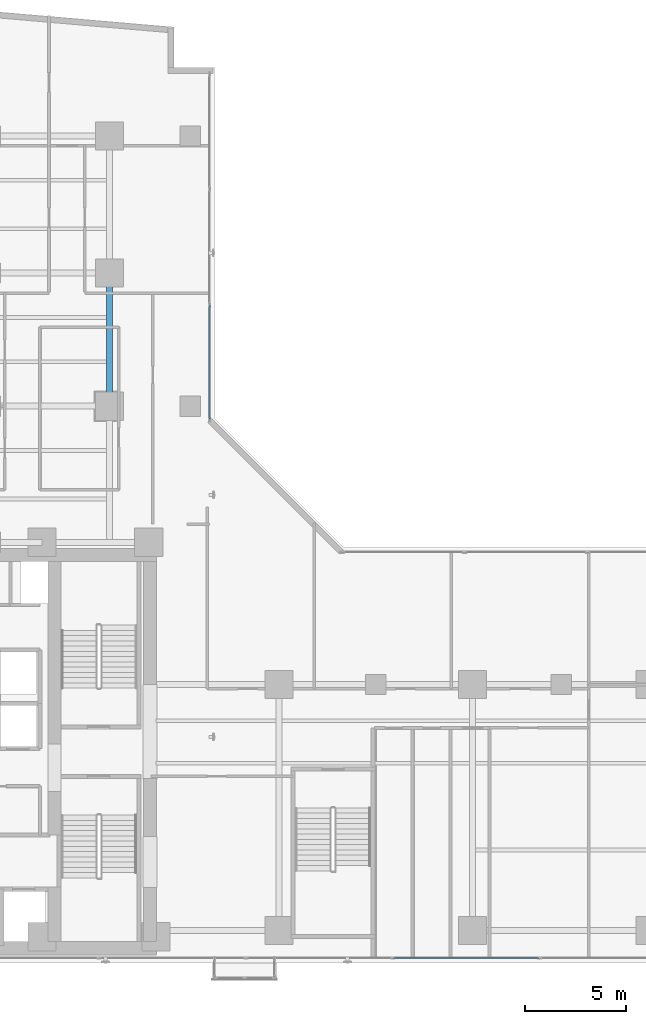
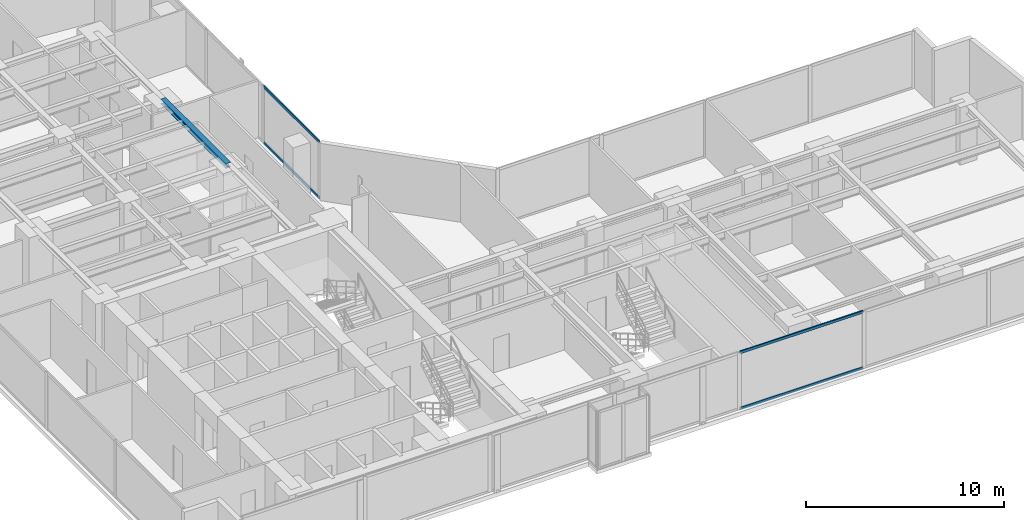
# One storey, part 10 of 26: 4 members, 1 beam, 2 elements without a shape of their own.
"""IFC4 building model written with IfcOpenShell, lengths in metres."""

from ifc_helpers import new_model, si_unit, direction, frame, origin, origin_with_axes, origin_2d, place, context, subcontext, project, spatial, hollow_rectangle, i_section, extrude, source, transform, mapped, material, layer, layer_set, material_profile, profile_set, type_object, element, aggregate, save


model = new_model("IFC4")

# Units and contexts
model_context = context("Model", 3, precision=1e-05, world=origin(), true_north=direction((0.0, 1.0)))
body_context = subcontext(model_context, "Body", "Model", "MODEL_VIEW")
ifc_project = project(units=[si_unit("LENGTHUNIT", "METRE"), si_unit("AREAUNIT", "SQUARE_METRE"), si_unit("VOLUMEUNIT", "CUBIC_METRE"), si_unit("PLANEANGLEUNIT", "RADIAN"), si_unit("MASSUNIT", "GRAM", prefix="KILO")], contexts=[model_context])

# Site, building, storey
site_placement = place(None, origin())
site = spatial("IfcSite", under=ifc_project, at=site_placement, CompositionType="ELEMENT")
building_placement = place(site_placement, origin())
building = spatial("IfcBuilding", under=site, at=building_placement, Name="Kolvaren Waterfront Exchange", CompositionType="ELEMENT")
storey_placement = place(building_placement, frame((0.0, 0.0, 122.10009765625)))
storey = spatial("IfcBuildingStorey", under=building, at=storey_placement, Name="L31", CompositionType="ELEMENT", Elevation=122.10009765625)

# Beam
ifc_material_1 = material(Name="Steel S355", Category="steel")
ifc_material_profile_1 = material_profile(ifc_material_1, i_section(OverallWidth=0.300048828125, OverallDepth=0.300048828125, WebThickness=0.010986328125, FlangeThickness=0.01904296875, FilletRadius=0.027099609375, at=origin_2d()), Name="HEB300")
ifc_profile_set_1 = profile_set([ifc_material_profile_1], Name="Steel S355")
beam_type = type_object("IfcBeamType", Name="STR-BM-HEB300", PredefinedType="SPANDREL", material=ifc_profile_set_1)
beam_placement = place(storey_placement, frame((18.800048828125, 31.199951171875, 3.389892578125), z_axis=(0.0, 1.0, 0.0), x_axis=(-1.0, 0.0, 0.0)))
element("IfcBeam", 1, at=beam_placement, inside=storey, type_object=beam_type, Name="L31 north-arm edge beam 2", PredefinedType="SPANDREL", context=body_context, shape_type="SweptSolid", body=[
    extrude(i_section(OverallWidth=0.300048828125, OverallDepth=0.300048828125, WebThickness=0.010986328125, FlangeThickness=0.01904296875, FilletRadius=0.027099609375, at=origin_2d()), origin(), (0.0, 0.0, 1.0), 6.60009765625),
])

# Curtain wall, members
ifc_material_2 = material(Name="Anodised bronze aluminium 6063-T6", Category="aluminium")
ifc_layer = layer(ifc_material_2, 0.219970703125, Name="Anodised bronze aluminium 6063-T6")
ifc_layer_set = layer_set([ifc_layer], Name="Anodised bronze aluminium 6063-T6")
curtain_wall_type = type_object("IfcCurtainWallType", Name="ARC-CW-SYS1", PredefinedType="USERDEFINED", material=ifc_layer_set)
curtain_wall_1_placement = place(storey_placement, origin())
curtain_wall_1 = element("IfcCurtainWall", 2, at=curtain_wall_1_placement, inside=storey, type_object=curtain_wall_type, Name="L31 stick curtain wall CW1 (CW-L31-NE)", ObjectType="STICK CURTAIN WALL", PredefinedType="USERDEFINED")
ifc_material_3 = material(Name="Anodised aluminium 6063-T6", Category="aluminium")
ifc_material_profile_2 = material_profile(ifc_material_3, hollow_rectangle(XDim=0.074951171875, YDim=0.159912109375, WallThickness=0.00439453125, at=origin_2d()), Name="ALU-TRN-160x75x4.5")
ifc_profile_set_2 = profile_set([ifc_material_profile_2], Name="Anodised aluminium 6063-T6")
member_type = type_object("IfcMemberType", Name="ARC-CWT-160", PredefinedType="USERDEFINED", material=ifc_profile_set_2)
shared_shape_1 = source(origin_with_axes(), body_context, "Body", "SweptSolid", [
    extrude(hollow_rectangle(XDim=0.074951171875, YDim=0.159912109375, WallThickness=0.00439453125, at=origin_2d()), origin(), (0.0, 0.0, 1.0), 5.61669921875),
])
member_1_placement = place(storey_placement, frame((23.760009765625, 30.570068359375, 0.037353515625), z_axis=(0.0, 1.0, 0.0), x_axis=(-1.0, 0.0, 0.0)))
member_1 = element("IfcMember", 3, at=member_1_placement, type_object=member_type, Name="CW1 transom 1.1", ObjectType="TRANSOM", PredefinedType="USERDEFINED", context=body_context, shape_type="MappedRepresentation", body=[
    mapped(shared_shape_1, transform((0.0, 0.0, 0.0), x_axis=(1.0, 0.0, 0.0), y_axis=(0.0, 1.0, 0.0), z_axis=(0.0, 0.0, 1.0), scale=1.0)),
])
member_2_placement = place(storey_placement, frame((23.760009765625, 30.570068359375, 3.50244140625), z_axis=(0.0, 1.0, 0.0), x_axis=(-1.0, 0.0, 0.0)))
member_2 = element("IfcMember", 4, at=member_2_placement, type_object=member_type, Name="CW1 transom 1.2", ObjectType="TRANSOM", PredefinedType="USERDEFINED", context=body_context, shape_type="MappedRepresentation", body=[
    mapped(shared_shape_1, transform((0.0, 0.0, 0.0), x_axis=(1.0, 0.0, 0.0), y_axis=(0.0, 1.0, 0.0), z_axis=(0.0, 0.0, 1.0), scale=1.0)),
])
aggregate(curtain_wall_1, [member_1, member_2])

curtain_wall_2_placement = place(storey_placement, origin())
curtain_wall_2 = element("IfcCurtainWall", 5, at=curtain_wall_2_placement, inside=storey, type_object=curtain_wall_type, Name="L31 stick curtain wall CW1 (CW-L31-S)", ObjectType="STICK CURTAIN WALL", PredefinedType="USERDEFINED")
shared_shape_2 = source(origin_with_axes(), body_context, "Body", "SweptSolid", [
    extrude(hollow_rectangle(XDim=0.074951171875, YDim=0.159912109375, WallThickness=0.00439453125, at=origin_2d()), origin(), (0.0, 0.0, 1.0), 7.205810546875),
])
member_3_placement = place(storey_placement, frame((32.8828125, 3.840087890625, 0.037353515625), z_axis=(1.0, 0.0, 0.0), x_axis=(0.0, 1.0, 0.0)))
member_3 = element("IfcMember", 6, at=member_3_placement, type_object=member_type, Name="CW1 transom 5.1", ObjectType="TRANSOM", PredefinedType="USERDEFINED", context=body_context, shape_type="MappedRepresentation", body=[
    mapped(shared_shape_2, transform((0.0, 0.0, 0.0), x_axis=(1.0, 0.0, 0.0), y_axis=(0.0, 1.0, 0.0), z_axis=(0.0, 0.0, 1.0), scale=1.0)),
])
member_4_placement = place(storey_placement, frame((32.8828125, 3.840087890625, 3.50244140625), z_axis=(1.0, 0.0, 0.0), x_axis=(0.0, 1.0, 0.0)))
member_4 = element("IfcMember", 7, at=member_4_placement, type_object=member_type, Name="CW1 transom 5.2", ObjectType="TRANSOM", PredefinedType="USERDEFINED", context=body_context, shape_type="MappedRepresentation", body=[
    mapped(shared_shape_2, transform((0.0, 0.0, 0.0), x_axis=(1.0, 0.0, 0.0), y_axis=(0.0, 1.0, 0.0), z_axis=(0.0, 0.0, 1.0), scale=1.0)),
])
aggregate(curtain_wall_2, [member_3, member_4])

save(model, "model.ifc")
